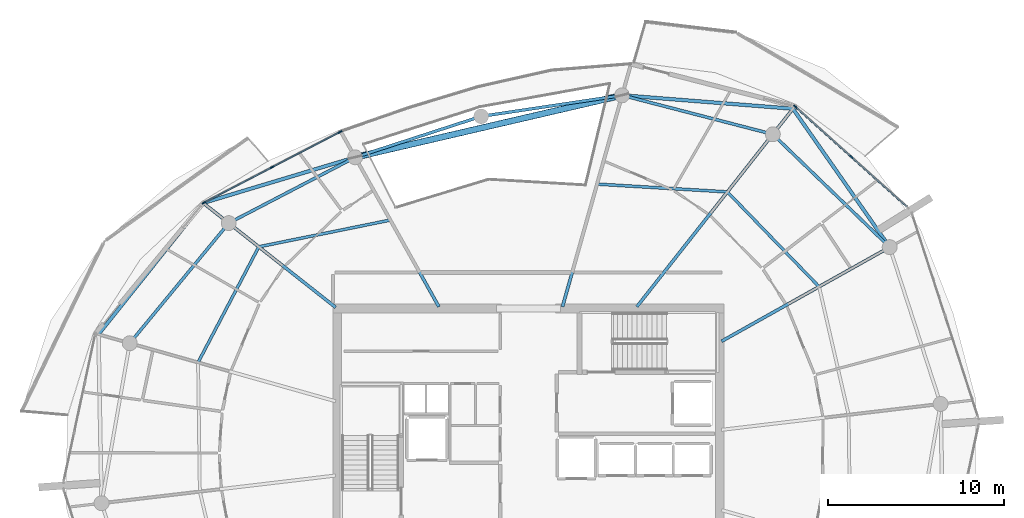
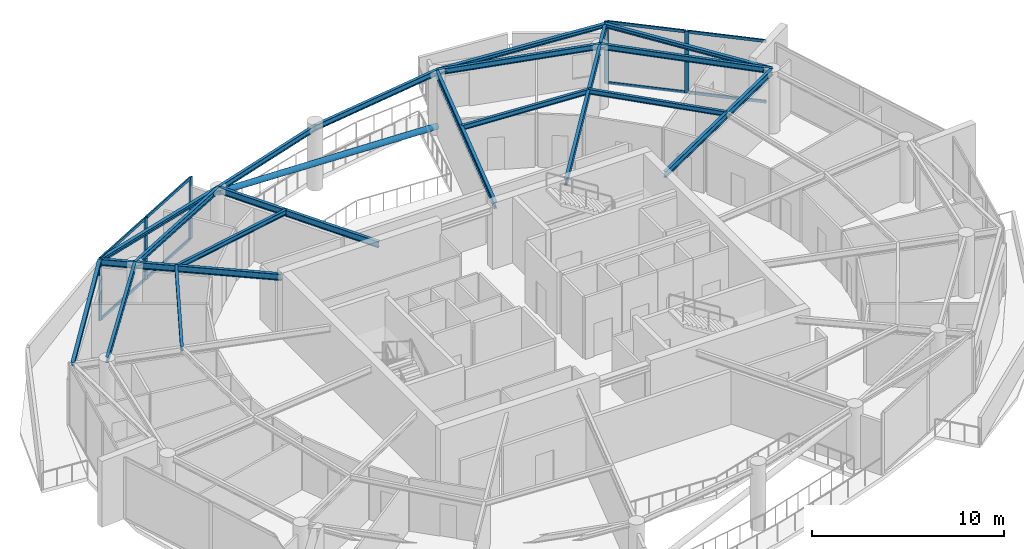
# One storey, part 7 of 22: 19 beams, 14 members, 2 elements without a shape of their own.
"""IFC4 building model written with IfcOpenShell, lengths in metres."""

from ifc_helpers import new_model, si_unit, direction, frame, origin, origin_2d, place, context, subcontext, project, spatial, rectangle, hollow_circle, i_section, extrude, material, layer, layer_set, material_profile, profile_set, type_object, element, aggregate, save


model = new_model("IFC4")

# Units and contexts
model_context = context("Model", 3, precision=1e-05, world=origin(), true_north=direction((0.0, 1.0)))
body_context = subcontext(model_context, "Body", "Model", "MODEL_VIEW")
ifc_project = project(units=[si_unit("LENGTHUNIT", "METRE"), si_unit("AREAUNIT", "SQUARE_METRE"), si_unit("VOLUMEUNIT", "CUBIC_METRE"), si_unit("PLANEANGLEUNIT", "RADIAN"), si_unit("MASSUNIT", "GRAM", prefix="KILO")], contexts=[model_context])

# Site, building, storey
site_placement = place(None, origin())
site = spatial("IfcSite", under=ifc_project, at=site_placement, CompositionType="ELEMENT")
building_placement = place(site_placement, origin())
building = spatial("IfcBuilding", under=site, at=building_placement, Name="Kazma Halo Residences", CompositionType="ELEMENT")
storey_placement = place(building_placement, frame((0.0, 0.0, 322.10009765625)))
storey = spatial("IfcBuildingStorey", under=building, at=storey_placement, Name="L81", CompositionType="ELEMENT", Elevation=322.10009765625)

# Beams
ifc_material_1 = material(Name="Steel S355", Category="steel")
ifc_material_profile_1 = material_profile(ifc_material_1, i_section(OverallWidth=0.201904296875, OverallDepth=0.2470703125, WebThickness=0.00732421875, FlangeThickness=0.010986328125, FilletRadius=0.011962890625, at=origin_2d()), Name="W250x49.1")
ifc_profile_set_1 = profile_set([ifc_material_profile_1], Name="Steel S355")
beam_type_1 = type_object("IfcBeamType", Name="BM-BAL-CANT", PredefinedType="BEAM", material=ifc_profile_set_1)
beam_1_placement = place(storey_placement, frame((68.96337890625, 53.739990234375, 3.81640625), z_axis=(-0.572873629847, 0.819643705659, 0.0), x_axis=(-0.819643705659, -0.572873629847, 0.0)))
element("IfcBeam", 1, at=beam_1_placement, inside=storey, type_object=beam_type_1, Name="L81 wave-balcony lead tie beam 01", PredefinedType="BEAM", context=body_context, shape_type="SweptSolid", body=[
    extrude(i_section(OverallWidth=0.201904296875, OverallDepth=0.2470703125, WebThickness=0.00732421875, FlangeThickness=0.010986328125, FilletRadius=0.011962890625, at=origin_2d()), origin(), (0.0, 0.0, 1.0), 9.6044921875),
])
beam_2_placement = place(storey_placement, frame((63.461181640625, 61.6123046875, 3.81640625), z_axis=(-0.996920506796, 0.078418767718, 0.0), x_axis=(-0.078418767718, -0.996920506796, 0.0)))
element("IfcBeam", 2, at=beam_2_placement, inside=storey, type_object=beam_type_1, Name="L81 wave-balcony tie beam 02", PredefinedType="BEAM", context=body_context, shape_type="SweptSolid", body=[
    extrude(i_section(OverallWidth=0.201904296875, OverallDepth=0.2470703125, WebThickness=0.00732421875, FlangeThickness=0.010986328125, FilletRadius=0.011962890625, at=origin_2d()), origin(), (0.0, 0.0, 1.0), 9.74462890625),
])
beam_3_placement = place(storey_placement, frame((38.563232421875, 58.8505859375, 3.81640625), z_axis=(-0.957652623349, -0.287926124193, 0.0), x_axis=(0.287926124193, -0.957652623349, 0.0)))
element("IfcBeam", 3, at=beam_3_placement, inside=storey, type_object=beam_type_1, Name="L81 wave-balcony lead tie beam 05", PredefinedType="BEAM", context=body_context, shape_type="SweptSolid", body=[
    extrude(i_section(OverallWidth=0.201904296875, OverallDepth=0.2470703125, WebThickness=0.00732421875, FlangeThickness=0.010986328125, FilletRadius=0.011962890625, at=origin_2d()), origin(), (0.0, 0.0, 1.0), 9.0244140625),
])
beam_4_placement = place(storey_placement, frame((29.9208984375, 56.252197265625, 3.81640625), z_axis=(-0.623310870646, -0.781974141858, 0.0), x_axis=(0.781974141858, -0.623310870646, 0.0)))
element("IfcBeam", 4, at=beam_4_placement, inside=storey, type_object=beam_type_1, Name="L81 wave-balcony tie beam 06", PredefinedType="BEAM", context=body_context, shape_type="SweptSolid", body=[
    extrude(i_section(OverallWidth=0.201904296875, OverallDepth=0.2470703125, WebThickness=0.00732421875, FlangeThickness=0.010986328125, FilletRadius=0.011962890625, at=origin_2d()), origin(), (0.0, 0.0, 1.0), 9.55712890625),
])
ifc_material_profile_2 = material_profile(ifc_material_1, i_section(OverallWidth=0.177978515625, OverallDepth=0.406982421875, WebThickness=0.0078125, FlangeThickness=0.0126953125, FilletRadius=0.013916015625, at=origin_2d()), Name="W410x60")
ifc_profile_set_2 = profile_set([ifc_material_profile_2], Name="Steel S355")
beam_type_2 = type_object("IfcBeamType", Name="BM-RAD-W410", PredefinedType="BEAM", material=ifc_profile_set_2)
beam_5_placement = place(storey_placement, frame((59.39990234375, 48.38427734375, 3.736328125), z_axis=(0.872499558985, 0.488614899047, 0.0), x_axis=(-0.488614899047, 0.872499558985, 0.0)))
element("IfcBeam", 5, at=beam_5_placement, inside=storey, type_object=beam_type_2, Name="L81 radial floor beam 01", PredefinedType="BEAM", context=body_context, shape_type="SweptSolid", body=[
    extrude(i_section(OverallWidth=0.177978515625, OverallDepth=0.406982421875, WebThickness=0.0078125, FlangeThickness=0.0126953125, FilletRadius=0.013916015625, at=origin_2d()), origin(), (0.0, 0.0, 1.0), 10.9609375),
])
beam_6_placement = place(storey_placement, frame((54.58251953125, 50.35009765625, 3.736328125), z_axis=(0.61910487104, 0.78530832076, 0.0), x_axis=(-0.78530832076, 0.61910487104, 0.0)))
element("IfcBeam", 6, at=beam_6_placement, inside=storey, type_object=beam_type_2, Name="L81 radial floor beam 02", PredefinedType="BEAM", context=body_context, shape_type="SweptSolid", body=[
    extrude(i_section(OverallWidth=0.177978515625, OverallDepth=0.406982421875, WebThickness=0.0078125, FlangeThickness=0.0126953125, FilletRadius=0.013916015625, at=origin_2d()), origin(), (0.0, 0.0, 1.0), 14.341064453125),
])
beam_7_placement = place(storey_placement, frame((50.35498046875, 50.35009765625, 3.736328125), z_axis=(0.271426752139, 0.962459099507, 0.0), x_axis=(-0.962459099507, 0.271426752139, 0.0)))
element("IfcBeam", 7, at=beam_7_placement, inside=storey, type_object=beam_type_2, Name="L81 radial floor beam 03", PredefinedType="BEAM", context=body_context, shape_type="SweptSolid", body=[
    extrude(i_section(OverallWidth=0.177978515625, OverallDepth=0.406982421875, WebThickness=0.0078125, FlangeThickness=0.0126953125, FilletRadius=0.013916015625, at=origin_2d()), origin(), (0.0, 0.0, 1.0), 12.495361328125),
])
beam_8_placement = place(storey_placement, frame((43.32373046875, 50.35009765625, 3.736328125), z_axis=(-0.488620919127, 0.872496187608, 0.0), x_axis=(-0.872496187608, -0.488620919127, 0.0)))
element("IfcBeam", 8, at=beam_8_placement, inside=storey, type_object=beam_type_2, Name="L81 radial floor beam 05", PredefinedType="BEAM", context=body_context, shape_type="SweptSolid", body=[
    extrude(i_section(OverallWidth=0.177978515625, OverallDepth=0.406982421875, WebThickness=0.0078125, FlangeThickness=0.0126953125, FilletRadius=0.013916015625, at=origin_2d()), origin(), (0.0, 0.0, 1.0), 9.74267578125),
])
beam_9_placement = place(storey_placement, frame((37.449951171875, 50.31689453125, 3.736328125), z_axis=(-0.78532321171, 0.619085982032, 0.0), x_axis=(-0.619085982032, -0.78532321171, 0.0)))
element("IfcBeam", 9, at=beam_9_placement, inside=storey, type_object=beam_type_2, Name="L81 radial floor beam 06", PredefinedType="BEAM", context=body_context, shape_type="SweptSolid", body=[
    extrude(i_section(OverallWidth=0.177978515625, OverallDepth=0.406982421875, WebThickness=0.0078125, FlangeThickness=0.0126953125, FilletRadius=0.013916015625, at=origin_2d()), origin(), (0.0, 0.0, 1.0), 9.587158203125),
])
ifc_material_profile_3 = material_profile(ifc_material_1, i_section(OverallWidth=0.1650390625, OverallDepth=0.31005859375, WebThickness=0.005859375, FlangeThickness=0.009765625, FilletRadius=0.011962890625, at=origin_2d()), Name="W310x38.7")
ifc_profile_set_3 = profile_set([ifc_material_profile_3], Name="Steel S355")
beam_type_3 = type_object("IfcBeamType", Name="BM-SEC-W310B", PredefinedType="JOIST", material=ifc_profile_set_3)
beam_10_placement = place(storey_placement, frame((64.94677734375, 51.490478515625, 3.784912109375), z_axis=(-0.695209401678, 0.718807267506, 0.0), x_axis=(-0.718807267506, -0.695209401678, 0.0)))
element("IfcBeam", 10, at=beam_10_placement, inside=storey, type_object=beam_type_3, Name="L81 circumferential floor joist 01", PredefinedType="JOIST", context=body_context, shape_type="SweptSolid", body=[
    extrude(i_section(OverallWidth=0.1650390625, OverallDepth=0.31005859375, WebThickness=0.005859375, FlangeThickness=0.009765625, FilletRadius=0.011962890625, at=origin_2d()), origin(), (0.0, 0.0, 1.0), 7.500732421875),
])
beam_11_placement = place(storey_placement, frame((59.732177734375, 56.882080078125, 3.784912109375), z_axis=(-0.998216858477, 0.059691736892, 0.0), x_axis=(-0.059691736892, -0.998216858477, 0.0)))
element("IfcBeam", 11, at=beam_11_placement, inside=storey, type_object=beam_type_3, Name="L81 circumferential floor joist 02", PredefinedType="JOIST", context=body_context, shape_type="SweptSolid", body=[
    extrude(i_section(OverallWidth=0.1650390625, OverallDepth=0.31005859375, WebThickness=0.005859375, FlangeThickness=0.009765625, FilletRadius=0.011962890625, at=origin_2d()), origin(), (0.0, 0.0, 1.0), 7.42333984375),
])
beam_12_placement = place(storey_placement, frame((40.562744140625, 55.280517578125, 3.784912109375), z_axis=(-0.979943226728, -0.199276873695, 0.0), x_axis=(0.199276873695, -0.979943226728, 0.0)))
element("IfcBeam", 12, at=beam_12_placement, inside=storey, type_object=beam_type_3, Name="L81 circumferential floor joist 05", PredefinedType="JOIST", context=body_context, shape_type="SweptSolid", body=[
    extrude(i_section(OverallWidth=0.1650390625, OverallDepth=0.31005859375, WebThickness=0.005859375, FlangeThickness=0.009765625, FilletRadius=0.011962890625, at=origin_2d()), origin(), (0.0, 0.0, 1.0), 7.632568359375),
])
beam_13_placement = place(storey_placement, frame((33.083251953125, 53.759521484375, 3.784912109375), z_axis=(-0.464998741676, -0.885311340851, 0.0), x_axis=(0.885311340851, -0.464998741676, 0.0)))
element("IfcBeam", 13, at=beam_13_placement, inside=storey, type_object=beam_type_3, Name="L81 circumferential floor joist 06", PredefinedType="JOIST", context=body_context, shape_type="SweptSolid", body=[
    extrude(i_section(OverallWidth=0.1650390625, OverallDepth=0.31005859375, WebThickness=0.005859375, FlangeThickness=0.009765625, FilletRadius=0.011962890625, at=origin_2d()), origin(), (0.0, 0.0, 1.0), 7.43017578125),
])
ifc_material_profile_4 = material_profile(ifc_material_1, i_section(OverallWidth=0.1708984375, OverallDepth=0.35498046875, WebThickness=0.007080078125, FlangeThickness=0.01171875, FilletRadius=0.013916015625, at=origin_2d()), Name="W360x51")
ifc_profile_set_4 = profile_set([ifc_material_profile_4], Name="Steel S355")
beam_type_4 = type_object("IfcBeamType", Name="BM-SPN-W360", PredefinedType="BEAM", material=ifc_profile_set_4)
beam_14_placement = place(storey_placement, frame((68.96337890625, 53.739990234375, 3.762451171875), z_axis=(-0.71933681628, 0.694661460529, 0.0), x_axis=(-0.694661460529, -0.71933681628, 0.0)))
element("IfcBeam", 14, at=beam_14_placement, inside=storey, type_object=beam_type_4, Name="L81 perimeter ring beam 01", PredefinedType="BEAM", context=body_context, shape_type="SweptSolid", body=[
    extrude(i_section(OverallWidth=0.1708984375, OverallDepth=0.35498046875, WebThickness=0.007080078125, FlangeThickness=0.01171875, FilletRadius=0.013916015625, at=origin_2d()), origin(), (0.0, 0.0, 1.0), 9.2412109375),
])
beam_15_placement = place(storey_placement, frame((62.31591796875, 60.159423828125, 3.762451171875), z_axis=(-0.968124082793, 0.250471076805, 0.0), x_axis=(-0.250471076805, -0.968124082793, 0.0)))
element("IfcBeam", 15, at=beam_15_placement, inside=storey, type_object=beam_type_4, Name="L81 perimeter ring beam 02", PredefinedType="BEAM", context=body_context, shape_type="SweptSolid", body=[
    extrude(i_section(OverallWidth=0.1708984375, OverallDepth=0.35498046875, WebThickness=0.007080078125, FlangeThickness=0.01171875, FilletRadius=0.013916015625, at=origin_2d()), origin(), (0.0, 0.0, 1.0), 8.8515625),
])
beam_16_placement = place(storey_placement, frame((53.74658203125, 62.37646484375, 3.762451171875), z_axis=(-0.989030710595, -0.147710031817, 0.0), x_axis=(0.147710031817, -0.989030710595, 0.0)))
element("IfcBeam", 16, at=beam_16_placement, inside=storey, type_object=beam_type_4, Name="L81 perimeter ring beam 03", PredefinedType="BEAM", context=body_context, shape_type="SweptSolid", body=[
    extrude(i_section(OverallWidth=0.1708984375, OverallDepth=0.35498046875, WebThickness=0.007080078125, FlangeThickness=0.01171875, FilletRadius=0.013916015625, at=origin_2d()), origin(), (0.0, 0.0, 1.0), 8.10546875),
])
beam_17_placement = place(storey_placement, frame((45.72998046875, 61.17919921875, 3.762451171875), z_axis=(-0.951056684666, -0.309016476183, 0.0), x_axis=(0.309016476183, -0.951056684666, 0.0)))
element("IfcBeam", 17, at=beam_17_placement, inside=storey, type_object=beam_type_4, Name="L81 perimeter ring beam 04", PredefinedType="BEAM", context=body_context, shape_type="SweptSolid", body=[
    extrude(i_section(OverallWidth=0.1708984375, OverallDepth=0.35498046875, WebThickness=0.007080078125, FlangeThickness=0.01171875, FilletRadius=0.013916015625, at=origin_2d()), origin(), (0.0, 0.0, 1.0), 7.53564453125),
])
beam_18_placement = place(storey_placement, frame((38.563232421875, 58.8505859375, 3.762451171875), z_axis=(-0.886957269655, -0.461851493238, 0.0), x_axis=(0.461851493238, -0.886957269655, 0.0)))
element("IfcBeam", 18, at=beam_18_placement, inside=storey, type_object=beam_type_4, Name="L81 perimeter ring beam 05", PredefinedType="BEAM", context=body_context, shape_type="SweptSolid", body=[
    extrude(i_section(OverallWidth=0.1708984375, OverallDepth=0.35498046875, WebThickness=0.007080078125, FlangeThickness=0.01171875, FilletRadius=0.013916015625, at=origin_2d()), origin(), (0.0, 0.0, 1.0), 8.105712890625),
])
beam_19_placement = place(storey_placement, frame((31.373779296875, 55.10693359375, 3.762451171875), z_axis=(-0.636004986424, -0.771684946881, 0.0), x_axis=(0.771684946881, -0.636004986424, 0.0)))
element("IfcBeam", 19, at=beam_19_placement, inside=storey, type_object=beam_type_4, Name="L81 perimeter ring beam 06", PredefinedType="BEAM", context=body_context, shape_type="SweptSolid", body=[
    extrude(i_section(OverallWidth=0.1708984375, OverallDepth=0.35498046875, WebThickness=0.007080078125, FlangeThickness=0.01171875, FilletRadius=0.013916015625, at=origin_2d()), origin(), (0.0, 0.0, 1.0), 8.85107421875),
])

# Curtain wall, members
ifc_material_2 = material(Name="Aluminium AW-6063 T6 and Triple-Silver Low-E Glass", Category="aluminium")
ifc_layer = layer(ifc_material_2, 0.239990234375)
ifc_layer_set = layer_set([ifc_layer], Name="Aluminium AW-6063 T6 and Triple-Silver Low-E Glass")
curtain_wall_type = type_object("IfcCurtainWallType", Name="CW-SYS-6", PredefinedType="NOTDEFINED", material=ifc_layer_set)
curtain_wall_1_placement = place(storey_placement, origin())
curtain_wall_1 = element("IfcCurtainWall", 20, at=curtain_wall_1_placement, inside=storey, type_object=curtain_wall_type, Name="L81 unitised curtain wall B01", PredefinedType="NOTDEFINED")
ifc_material_3 = material(Name="Aluminium AW-6063 T6", Category="aluminium")
ifc_material_profile_5 = material_profile(ifc_material_3, rectangle(XDim=0.080078125, YDim=0.239990234375, at=origin_2d()), Name="CWM-80x240")
ifc_profile_set_5 = profile_set([ifc_material_profile_5], Name="Aluminium AW-6063 T6")
member_type_1 = type_object("IfcMemberType", Name="CW-SYS-6-MUL", PredefinedType="MULLION", material=ifc_profile_set_5)
member_1_placement = place(storey_placement, frame((66.78466796875, 58.86962890625, 0.0), z_axis=(0.0, 0.0, 1.0), x_axis=(-0.667757559118, -0.744378829791, 0.0)))
member_1 = element("IfcMember", 21, at=member_1_placement, type_object=member_type_1, Name="CWS-6 mullion 2", PredefinedType="MULLION", context=body_context, shape_type="SweptSolid", body=[
    extrude(rectangle(XDim=0.080078125, YDim=0.239990234375, at=origin_2d()), origin(), (0.0, 0.0, 1.0), 3.93994140625),
])
member_2_placement = place(storey_placement, frame((63.60107421875, 61.7255859375, 0.0), z_axis=(0.0, 0.0, 1.0), x_axis=(-0.667757559118, -0.744378829791, 0.0)))
member_2 = element("IfcMember", 22, at=member_2_placement, type_object=member_type_1, Name="CWS-6 mullion 3", PredefinedType="MULLION", context=body_context, shape_type="SweptSolid", body=[
    extrude(rectangle(XDim=0.080078125, YDim=0.239990234375, at=origin_2d()), origin(), (0.0, 0.0, 1.0), 3.93994140625),
])

curtain_wall_2_placement = place(storey_placement, origin())
curtain_wall_2 = element("IfcCurtainWall", 23, at=curtain_wall_2_placement, inside=storey, type_object=curtain_wall_type, Name="L81 unitised curtain wall B05", PredefinedType="NOTDEFINED")
member_3_placement = place(storey_placement, frame((37.709716796875, 60.29296875, 0.0), z_axis=(0.0, 0.0, 1.0), x_axis=(0.460796020861, -0.887506071618, 0.0)))
member_3 = element("IfcMember", 24, at=member_3_placement, type_object=member_type_1, Name="CWS-6 mullion 1", PredefinedType="MULLION", context=body_context, shape_type="SweptSolid", body=[
    extrude(rectangle(XDim=0.080078125, YDim=0.239990234375, at=origin_2d()), origin(), (0.0, 0.0, 1.0), 3.93994140625),
])
member_4_placement = place(storey_placement, frame((33.83447265625, 58.28076171875, 0.0), z_axis=(0.0, 0.0, 1.0), x_axis=(0.460796020861, -0.887506071618, 0.0)))
member_4 = element("IfcMember", 25, at=member_4_placement, type_object=member_type_1, Name="CWS-6 mullion 2", PredefinedType="MULLION", context=body_context, shape_type="SweptSolid", body=[
    extrude(rectangle(XDim=0.080078125, YDim=0.239990234375, at=origin_2d()), origin(), (0.0, 0.0, 1.0), 3.93994140625),
])
member_5_placement = place(storey_placement, frame((29.958984375, 56.268798828125, 0.0), z_axis=(0.0, 0.0, 1.0), x_axis=(0.460796020861, -0.887506071618, 0.0)))
member_5 = element("IfcMember", 26, at=member_5_placement, type_object=member_type_1, Name="CWS-6 mullion 3", PredefinedType="MULLION", context=body_context, shape_type="SweptSolid", body=[
    extrude(rectangle(XDim=0.080078125, YDim=0.239990234375, at=origin_2d()), origin(), (0.0, 0.0, 1.0), 3.93994140625),
])

# Member
ifc_material_profile_6 = material_profile(ifc_material_3, rectangle(XDim=0.080078125, YDim=0.179931640625, at=origin_2d()), Name="CWT-80x180")
ifc_profile_set_6 = profile_set([ifc_material_profile_6], Name="Aluminium AW-6063 T6")
member_type_2 = type_object("IfcMemberType", Name="CW-SYS-6-TRN", PredefinedType="USERDEFINED", material=ifc_profile_set_6)
member_6_placement = place(storey_placement, frame((69.938232421875, 56.04052734375, 0.039794921875), z_axis=(-0.744349048391, 0.66779075627, 0.0), x_axis=(-0.66779075627, -0.744349048391, 0.0)))
member_6 = element("IfcMember", 27, at=member_6_placement, type_object=member_type_2, Name="CWS-6 transom 1.1", ObjectType="TRANSOM", PredefinedType="USERDEFINED", context=body_context, shape_type="SweptSolid", body=[
    extrude(rectangle(XDim=0.080078125, YDim=0.179931640625, at=origin_2d()), origin(), (0.0, 0.0, 1.0), 4.19677734375),
])

member_7_placement = place(storey_placement, frame((69.938232421875, 56.04052734375, 3.89990234375), z_axis=(-0.744349048391, 0.66779075627, 0.0), x_axis=(-0.66779075627, -0.744349048391, 0.0)))
member_7 = element("IfcMember", 28, at=member_7_placement, type_object=member_type_2, Name="CWS-6 transom 1.2", ObjectType="TRANSOM", PredefinedType="USERDEFINED", context=body_context, shape_type="SweptSolid", body=[
    extrude(rectangle(XDim=0.080078125, YDim=0.179931640625, at=origin_2d()), origin(), (0.0, 0.0, 1.0), 4.19677734375),
])

member_8_placement = place(storey_placement, frame((66.7548828125, 58.896484375, 0.039794921875), z_axis=(-0.744403905463, 0.667729605103, 0.0), x_axis=(-0.667729605103, -0.744403905463, 0.0)))
member_8 = element("IfcMember", 29, at=member_8_placement, type_object=member_type_2, Name="CWS-6 transom 2.1", ObjectType="TRANSOM", PredefinedType="USERDEFINED", context=body_context, shape_type="SweptSolid", body=[
    extrude(rectangle(XDim=0.080078125, YDim=0.179931640625, at=origin_2d()), origin(), (0.0, 0.0, 1.0), 4.19677734375),
])

member_9_placement = place(storey_placement, frame((66.7548828125, 58.896484375, 3.89990234375), z_axis=(-0.744403905463, 0.667729605103, 0.0), x_axis=(-0.667729605103, -0.744403905463, 0.0)))
member_9 = element("IfcMember", 30, at=member_9_placement, type_object=member_type_2, Name="CWS-6 transom 2.2", ObjectType="TRANSOM", PredefinedType="USERDEFINED", context=body_context, shape_type="SweptSolid", body=[
    extrude(rectangle(XDim=0.080078125, YDim=0.179931640625, at=origin_2d()), origin(), (0.0, 0.0, 1.0), 4.19677734375),
])

aggregate(curtain_wall_1, [member_1, member_2, member_6, member_7, member_8, member_9])

member_10_placement = place(storey_placement, frame((37.67431640625, 60.2744140625, 0.039794921875), z_axis=(-0.88752339951, -0.460762645321, 0.0), x_axis=(0.460762645321, -0.88752339951, 0.0)))
member_10 = element("IfcMember", 31, at=member_10_placement, type_object=member_type_2, Name="CWS-6 transom 1.1", ObjectType="TRANSOM", PredefinedType="USERDEFINED", context=body_context, shape_type="SweptSolid", body=[
    extrude(rectangle(XDim=0.080078125, YDim=0.179931640625, at=origin_2d()), origin(), (0.0, 0.0, 1.0), 4.28662109375),
])

member_11_placement = place(storey_placement, frame((37.67431640625, 60.2744140625, 3.89990234375), z_axis=(-0.88752339951, -0.460762645321, 0.0), x_axis=(0.460762645321, -0.88752339951, 0.0)))
member_11 = element("IfcMember", 32, at=member_11_placement, type_object=member_type_2, Name="CWS-6 transom 1.2", ObjectType="TRANSOM", PredefinedType="USERDEFINED", context=body_context, shape_type="SweptSolid", body=[
    extrude(rectangle(XDim=0.080078125, YDim=0.179931640625, at=origin_2d()), origin(), (0.0, 0.0, 1.0), 4.28662109375),
])

member_12_placement = place(storey_placement, frame((33.798828125, 58.262451171875, 0.039794921875), z_axis=(-0.887488013571, -0.4608307995, 0.0), x_axis=(0.4608307995, -0.887488013571, 0.0)))
member_12 = element("IfcMember", 33, at=member_12_placement, type_object=member_type_2, Name="CWS-6 transom 2.1", ObjectType="TRANSOM", PredefinedType="USERDEFINED", context=body_context, shape_type="SweptSolid", body=[
    extrude(rectangle(XDim=0.080078125, YDim=0.179931640625, at=origin_2d()), origin(), (0.0, 0.0, 1.0), 4.286376953125),
])

member_13_placement = place(storey_placement, frame((33.798828125, 58.262451171875, 3.89990234375), z_axis=(-0.887488013571, -0.4608307995, 0.0), x_axis=(0.4608307995, -0.887488013571, 0.0)))
member_13 = element("IfcMember", 34, at=member_13_placement, type_object=member_type_2, Name="CWS-6 transom 2.2", ObjectType="TRANSOM", PredefinedType="USERDEFINED", context=body_context, shape_type="SweptSolid", body=[
    extrude(rectangle(XDim=0.080078125, YDim=0.179931640625, at=origin_2d()), origin(), (0.0, 0.0, 1.0), 4.286376953125),
])

aggregate(curtain_wall_2, [member_3, member_4, member_5, member_10, member_11, member_12, member_13])

ifc_material_profile_7 = material_profile(ifc_material_1, hollow_circle(Radius=0.177734375, WallThickness=0.012451171875, at=origin_2d()), Name="CHS355.6x12.5")
ifc_profile_set_7 = profile_set([ifc_material_profile_7], Name="Steel S355")
member_type_3 = type_object("IfcMemberType", Name="MBR-PORT-CHS355", PredefinedType="BRACE", material=ifc_profile_set_7)
member_14_placement = place(storey_placement, frame((53.74658203125, 62.37646484375, 0.2998046875), z_axis=(-0.953451168397, -0.221410522005, 0.204715046415), x_axis=(0.226201096399, -0.974080624994, 0.0)))
element("IfcMember", 35, at=member_14_placement, inside=storey, type_object=member_type_3, Name="L81 upper wind-portal brace NNW", PredefinedType="BRACE", context=body_context, shape_type="SweptSolid", body=[
    extrude(hollow_circle(Radius=0.177734375, WallThickness=0.012451171875, at=origin_2d()), origin(), (0.0, 0.0, 1.0), 15.924560546875),
])

save(model, "model.ifc")
